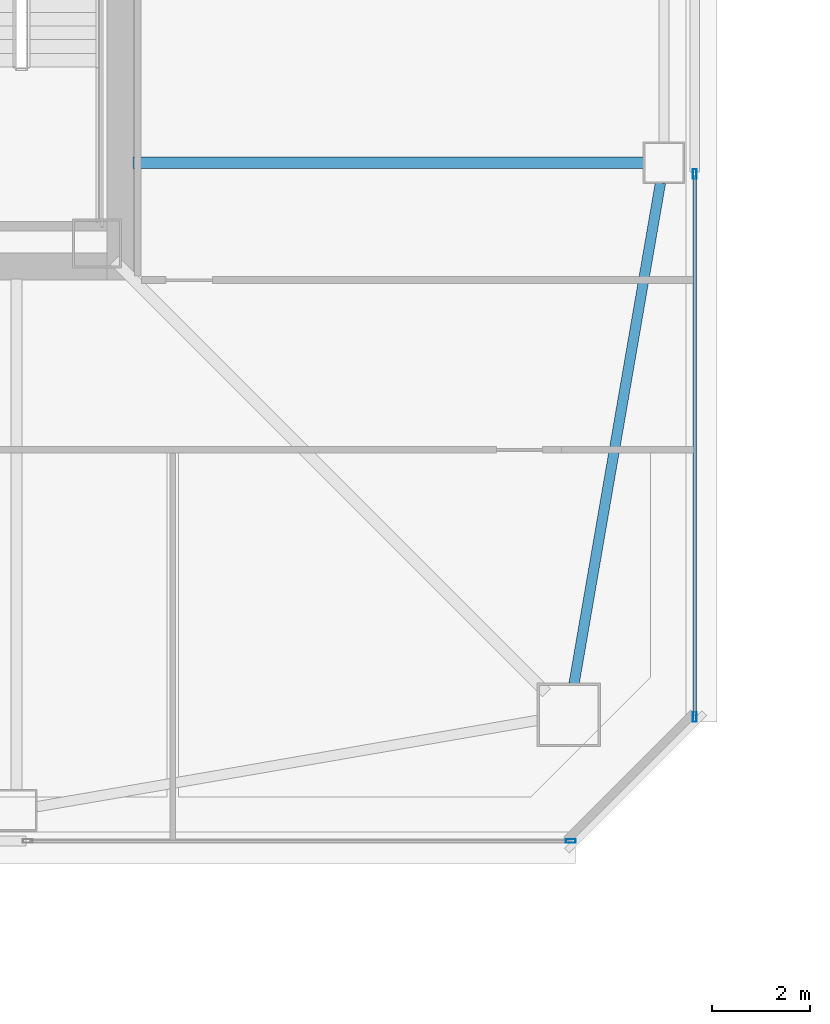
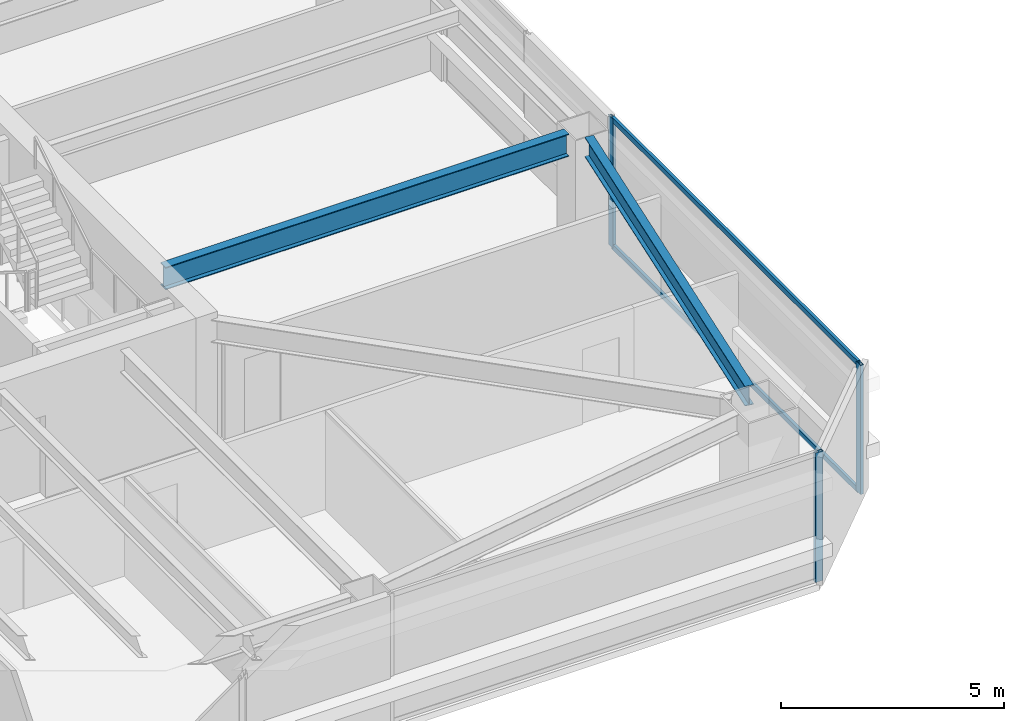
# One storey, part 9 of 42: 5 members, 2 beams, 2 elements without a shape of their own.
"""IFC4 building model written with IfcOpenShell, lengths in metres."""

from ifc_helpers import new_model, si_unit, direction, frame, origin, origin_2d, place, context, subcontext, project, spatial, hollow_rectangle, i_section, extrude, material, material_profile, profile_set, type_object, element, aggregate, save


model = new_model("IFC4")

# Units and contexts
model_context = context("Model", 3, precision=1e-05, world=origin(), true_north=direction((0.0, 1.0)))
body_context = subcontext(model_context, "Body", "Model", "MODEL_VIEW")
ifc_project = project(units=[si_unit("LENGTHUNIT", "METRE"), si_unit("AREAUNIT", "SQUARE_METRE"), si_unit("VOLUMEUNIT", "CUBIC_METRE"), si_unit("PLANEANGLEUNIT", "RADIAN"), si_unit("MASSUNIT", "GRAM", prefix="KILO")], contexts=[model_context])

# Site, building, storey
site_placement = place(None, origin())
site = spatial("IfcSite", under=ifc_project, at=site_placement, CompositionType="ELEMENT")
building_placement = place(site_placement, origin())
building = spatial("IfcBuilding", under=site, at=building_placement, Name="Tashvorn Skyway Center", CompositionType="ELEMENT")
storey_placement = place(building_placement, frame((0.0, 0.0, 121.5)))
storey = spatial("IfcBuildingStorey", under=building, at=storey_placement, Name="L32", CompositionType="ELEMENT", Elevation=121.5)

# Beams
ifc_material_1 = material(Name="Steel ASTM A992 Grade 50", Category="steel")
ifc_material_profile_1 = material_profile(ifc_material_1, i_section(OverallWidth=0.22998046875, OverallDepth=0.616943359375, WebThickness=0.01318359375, FlangeThickness=0.022216796875, at=origin_2d()), Name="W24X94")
ifc_profile_set_1 = profile_set([ifc_material_profile_1], Name="Steel ASTM A992 Grade 50")
beam_type_1 = type_object("IfcBeamType", Name="BM-BEAM-W24X94", PredefinedType="BEAM", material=ifc_profile_set_1)
beam_1_placement = place(storey_placement, frame((60.22998046875, 26.60009765625, 3.0615234375), z_axis=(-1.0, 0.0, 0.0), x_axis=(0.0, -1.0, 0.0)))
element("IfcBeam", 1, at=beam_1_placement, inside=storey, type_object=beam_type_1, Name="Tower 1 L32 Primary Floor Girder FC-E1", PredefinedType="BEAM", context=body_context, shape_type="SweptSolid", body=[
    extrude(i_section(OverallWidth=0.22998046875, OverallDepth=0.616943359375, WebThickness=0.01318359375, FlangeThickness=0.022216796875, at=origin_2d()), origin(), (0.0, 0.0, 1.0), 10.449951171875),
])
ifc_material_profile_2 = material_profile(ifc_material_1, i_section(OverallWidth=0.2109375, OverallDepth=0.5390625, WebThickness=0.01171875, FlangeThickness=0.018798828125, at=origin_2d()), Name="W21X73")
ifc_profile_set_2 = profile_set([ifc_material_profile_2], Name="Steel ASTM A992 Grade 50")
beam_type_2 = type_object("IfcBeamType", Name="BM-SPANDREL-W21X73", PredefinedType="SPANDREL", material=ifc_profile_set_2)
beam_2_placement = place(storey_placement, frame((58.8095703125, 15.935546875, 3.1005859375), z_axis=(0.170067250846, 0.985432458462, 0.0), x_axis=(-0.985432458462, 0.170067250846, 0.0)))
element("IfcBeam", 2, at=beam_2_placement, inside=storey, type_object=beam_type_2, Name="Tower 1 L32 Spandrel Beam 04", PredefinedType="SPANDREL", context=body_context, shape_type="SweptSolid", body=[
    extrude(i_section(OverallWidth=0.2109375, OverallDepth=0.5390625, WebThickness=0.01171875, FlangeThickness=0.018798828125, at=origin_2d()), origin(), (0.0, 0.0, 1.0), 10.402099609375),
])

# Curtain wall, member
ifc_material_2 = material(Name="Thermally broken bronze-anodized aluminium 6063-T6", Category="aluminium")
curtain_wall_type = type_object("IfcCurtainWallType", Name="CW-CW-Z3", PredefinedType="NOTDEFINED", material=ifc_material_2)
curtain_wall_1_placement = place(storey_placement, origin())
curtain_wall_1 = element("IfcCurtainWall", 3, at=curtain_wall_1_placement, inside=storey, type_object=curtain_wall_type, Name="Tower 1 L32 South Unitised Curtain Wall Glazing Group 1", PredefinedType="NOTDEFINED")
ifc_material_profile_3 = material_profile(ifc_material_2, hollow_rectangle(XDim=0.074951171875, YDim=0.199951171875, WallThickness=0.00439453125, at=origin_2d()), Name="ALU-MULL-75x200")
ifc_profile_set_3 = profile_set([ifc_material_profile_3], Name="Thermally broken bronze-anodized aluminium 6063-T6")
member_type_1 = type_object("IfcMemberType", Name="CWM-CW-Z3", PredefinedType="MULLION", material=ifc_profile_set_3)
member_1_placement = place(storey_placement, frame((58.742431640625, 12.719970703125, 0.0), z_axis=(0.0, 0.0, 1.0), x_axis=(0.0, -1.0, 0.0)))
member_1 = element("IfcMember", 4, at=member_1_placement, type_object=member_type_1, Name="CW-Z3 mullion 1", PredefinedType="MULLION", context=body_context, shape_type="SweptSolid", body=[
    extrude(hollow_rectangle(XDim=0.074951171875, YDim=0.199951171875, WallThickness=0.00439453125, at=origin_2d()), origin(), (0.0, 0.0, 1.0), 3.550048828125),
])
aggregate(curtain_wall_1, [member_1])

# Curtain wall, members
curtain_wall_2_placement = place(storey_placement, origin())
curtain_wall_2 = element("IfcCurtainWall", 5, at=curtain_wall_2_placement, inside=storey, type_object=curtain_wall_type, Name="Tower 1 L32 East Unitised Curtain Wall Glazing Group 3", PredefinedType="NOTDEFINED")
member_2_placement = place(storey_placement, frame((61.280029296875, 26.369140625, 0.0), z_axis=(0.0, 0.0, 1.0), x_axis=(1.0, 0.0, 0.0)))
member_2 = element("IfcMember", 6, at=member_2_placement, type_object=member_type_1, Name="CW-Z3 mullion 1", PredefinedType="MULLION", context=body_context, shape_type="SweptSolid", body=[
    extrude(hollow_rectangle(XDim=0.074951171875, YDim=0.199951171875, WallThickness=0.00439453125, at=origin_2d()), origin(), (0.0, 0.0, 1.0), 3.550048828125),
])
member_3_placement = place(storey_placement, frame((61.280029296875, 15.257568359375, 0.0), z_axis=(0.0, 0.0, 1.0), x_axis=(1.0, 0.0, 0.0)))
member_3 = element("IfcMember", 7, at=member_3_placement, type_object=member_type_1, Name="CW-Z3 mullion 2", PredefinedType="MULLION", context=body_context, shape_type="SweptSolid", body=[
    extrude(hollow_rectangle(XDim=0.074951171875, YDim=0.199951171875, WallThickness=0.00439453125, at=origin_2d()), origin(), (0.0, 0.0, 1.0), 3.550048828125),
])
ifc_material_profile_4 = material_profile(ifc_material_2, hollow_rectangle(XDim=0.074951171875, YDim=0.139892578125, WallThickness=0.004150390625, at=origin_2d()), Name="ALU-TRAN-75x140")
ifc_profile_set_4 = profile_set([ifc_material_profile_4], Name="Thermally broken bronze-anodized aluminium 6063-T6")
member_type_2 = type_object("IfcMemberType", Name="CWT-CW-Z3", PredefinedType="USERDEFINED", material=ifc_profile_set_4)
member_4_placement = place(storey_placement, frame((61.280029296875, 26.331787109375, 0.03759765625), z_axis=(0.0, -1.0, 0.0), x_axis=(1.0, 0.0, 0.0)))
member_4 = element("IfcMember", 8, at=member_4_placement, type_object=member_type_2, Name="CW-Z3 transom 1.1", ObjectType="TRANSOM", PredefinedType="USERDEFINED", context=body_context, shape_type="SweptSolid", body=[
    extrude(hollow_rectangle(XDim=0.074951171875, YDim=0.139892578125, WallThickness=0.004150390625, at=origin_2d()), origin(), (0.0, 0.0, 1.0), 11.036865234375),
])
member_5_placement = place(storey_placement, frame((61.280029296875, 26.331787109375, 3.512451171875), z_axis=(0.0, -1.0, 0.0), x_axis=(1.0, 0.0, 0.0)))
member_5 = element("IfcMember", 9, at=member_5_placement, type_object=member_type_2, Name="CW-Z3 transom 1.2", ObjectType="TRANSOM", PredefinedType="USERDEFINED", context=body_context, shape_type="SweptSolid", body=[
    extrude(hollow_rectangle(XDim=0.074951171875, YDim=0.139892578125, WallThickness=0.004150390625, at=origin_2d()), origin(), (0.0, 0.0, 1.0), 11.036865234375),
])
aggregate(curtain_wall_2, [member_2, member_3, member_4, member_5])

save(model, "model.ifc")
